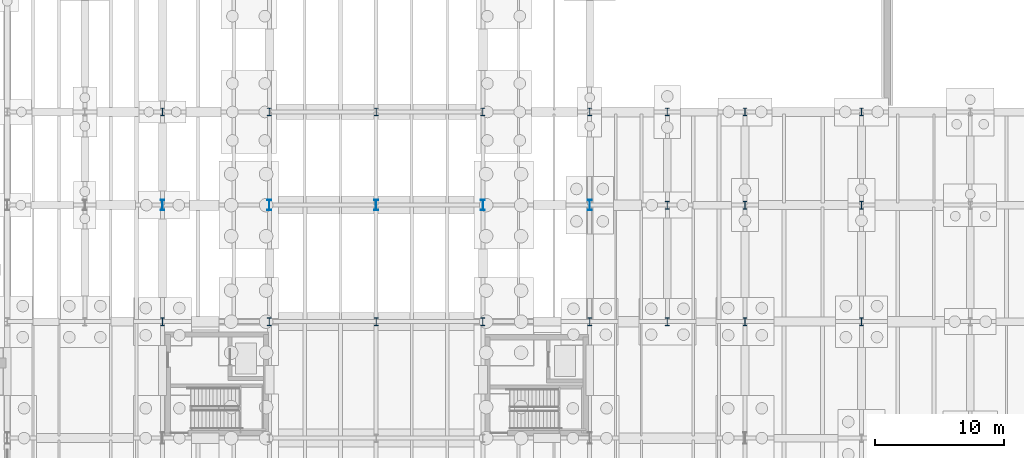
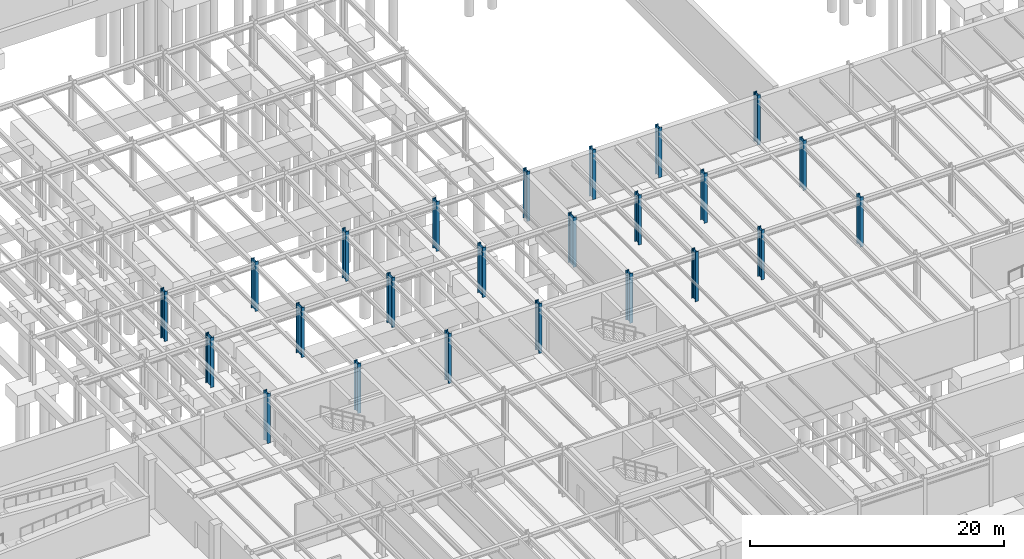
# One storey, part 19 of 59: 24 columns.
"""IFC4 building model written with IfcOpenShell, lengths in metres."""

from ifc_helpers import new_model, si_unit, direction, frame, origin, origin_2d, place, context, subcontext, project, spatial, i_section, extrude, material, material_profile, profile_set, type_object, element, save


model = new_model("IFC4")

# Units and contexts
model_context = context("Model", 3, precision=1e-05, world=origin(), true_north=direction((0.0, 1.0)))
body_context = subcontext(model_context, "Body", "Model", "MODEL_VIEW")
ifc_project = project(units=[si_unit("LENGTHUNIT", "METRE"), si_unit("AREAUNIT", "SQUARE_METRE"), si_unit("VOLUMEUNIT", "CUBIC_METRE"), si_unit("PLANEANGLEUNIT", "RADIAN"), si_unit("MASSUNIT", "GRAM", prefix="KILO")], contexts=[model_context])

# Site, building, storey
site_placement = place(None, origin())
site = spatial("IfcSite", under=ifc_project, at=site_placement, CompositionType="ELEMENT")
building_placement = place(site_placement, origin())
building = spatial("IfcBuilding", under=site, at=building_placement, Name="Montealbar Specialist Clinic", CompositionType="ELEMENT")
storey_placement = place(building_placement, frame((0.0, 0.0, -4.800048828125)))
storey = spatial("IfcBuildingStorey", under=building, at=storey_placement, Name="B01", CompositionType="ELEMENT", Elevation=-4.800048828125)

# Columns
ifc_material = material(Name="Steel S355", Category="steel")
ifc_material_profile_1 = material_profile(ifc_material, i_section(OverallWidth=0.302978515625, OverallDepth=0.81396484375, WebThickness=0.02099609375, FlangeThickness=0.0400390625, FilletRadius=0.030029296875, at=origin_2d()), Name="HEM 800", Category="steel")
ifc_profile_set_1 = profile_set([ifc_material_profile_1], Name="Steel S355")
column_type_1 = type_object("IfcColumnType", Name="COL-S-B01-HVY-EXT", PredefinedType="COLUMN", material=ifc_profile_set_1)
for number, where, z_axis, x_axis, name in (
    (1, (66.0, 45.0, 0.0), (0.0, 0.0, 1.0), (1.0, 0.0, 0.0), "Column 9/F B01"),
    (2, (74.25, 45.0, 0.0), (0.0, 0.0, 1.0), (1.0, 0.0, 0.0), "Column 10/F B01"),
    (3, (82.5, 45.0, 0.0), (0.0, 0.0, 1.0), (1.0, 0.0, 0.0), "Column 11/F B01"),
    (4, (90.75, 45.0, 0.0), (0.0, 0.0, 1.0), (1.0, 0.0, 0.0), "Column 12/F B01"),
    (5, (99.0, 45.0, 0.0), (0.0, 0.0, 1.0), (1.0, 0.0, 0.0), "Column 13/F B01"),
):
    element("IfcColumn", number, at=place(storey_placement, frame(where, z_axis=z_axis, x_axis=x_axis)), inside=storey, type_object=column_type_1, Name=name, PredefinedType="COLUMN", context=body_context, shape_type="SweptSolid", body=[
        extrude(i_section(OverallWidth=0.302978515625, OverallDepth=0.81396484375, WebThickness=0.02099609375, FlangeThickness=0.0400390625, FilletRadius=0.030029296875, at=origin_2d()), origin(), (0.0, 0.0, 1.0), 4.800048828125),
    ])
ifc_material_profile_2 = material_profile(ifc_material, i_section(OverallWidth=0.300048828125, OverallDepth=0.60009765625, WebThickness=0.015380859375, FlangeThickness=0.030029296875, FilletRadius=0.027099609375, at=origin_2d()), Name="HEB 600", Category="steel")
ifc_profile_set_2 = profile_set([ifc_material_profile_2], Name="Steel S355")
column_type_2 = type_object("IfcColumnType", Name="COL-S-B01-STD", PredefinedType="COLUMN", material=ifc_profile_set_2)
for number, where, z_axis, x_axis, name in (
    (6, (105.0, 36.0, 0.0), (0.0, 0.0, 1.0), (1.0, 0.0, 0.0), "Column 14/E B01"),
    (7, (105.0, 45.0, 0.0), (0.0, 0.0, 1.0), (1.0, 0.0, 0.0), "Column 14/F B01"),
    (8, (111.0, 36.0, 0.0), (0.0, 0.0, 1.0), (1.0, 0.0, 0.0), "Column 15/E B01"),
    (9, (111.0, 45.0, 0.0), (0.0, 0.0, 1.0), (1.0, 0.0, 0.0), "Column 15/F B01"),
    (10, (120.0, 36.0, 0.0), (0.0, 0.0, 1.0), (1.0, 0.0, 0.0), "Column 16/E B01"),
    (11, (120.0, 45.0, 0.0), (0.0, 0.0, 1.0), (1.0, 0.0, 0.0), "Column 16/F B01"),
):
    element("IfcColumn", number, at=place(storey_placement, frame(where, z_axis=z_axis, x_axis=x_axis)), inside=storey, type_object=column_type_2, Name=name, PredefinedType="COLUMN", context=body_context, shape_type="SweptSolid", body=[
        extrude(i_section(OverallWidth=0.300048828125, OverallDepth=0.60009765625, WebThickness=0.015380859375, FlangeThickness=0.030029296875, FilletRadius=0.027099609375, at=origin_2d()), origin(), (0.0, 0.0, 1.0), 4.800048828125),
    ])
ifc_material_profile_3 = material_profile(ifc_material, i_section(OverallWidth=0.300048828125, OverallDepth=0.60009765625, WebThickness=0.015380859375, FlangeThickness=0.030029296875, FilletRadius=0.027099609375, at=origin_2d()), Name="HEB 600", Category="steel")
ifc_profile_set_3 = profile_set([ifc_material_profile_3], Name="Steel S355")
column_type_3 = type_object("IfcColumnType", Name="COL-S-B01-STD-EXT", PredefinedType="COLUMN", material=ifc_profile_set_3)
for number, where, z_axis, x_axis, name in (
    (12, (66.0, 36.0, 0.0), (0.0, 0.0, 1.0), (1.0, 0.0, 0.0), "Column 9/E B01"),
    (13, (66.0, 52.199951171875, 0.0), (0.0, 0.0, 1.0), (1.0, 0.0, 0.0), "Column 9/G B01"),
    (14, (74.25, 36.0, 0.0), (0.0, 0.0, 1.0), (1.0, 0.0, 0.0), "Column 10/E B01"),
    (15, (74.25, 52.199951171875, 0.0), (0.0, 0.0, 1.0), (1.0, 0.0, 0.0), "Column 10/G B01"),
    (16, (82.5, 36.0, 0.0), (0.0, 0.0, 1.0), (1.0, 0.0, 0.0), "Column 11/E B01"),
    (17, (82.5, 52.199951171875, 0.0), (0.0, 0.0, 1.0), (1.0, 0.0, 0.0), "Column 11/G B01"),
    (18, (90.75, 36.0, 0.0), (0.0, 0.0, 1.0), (1.0, 0.0, 0.0), "Column 12/E B01"),
    (19, (90.75, 52.199951171875, 0.0), (0.0, 0.0, 1.0), (1.0, 0.0, 0.0), "Column 12/G B01"),
    (20, (99.0, 36.0, 0.0), (0.0, 0.0, 1.0), (1.0, 0.0, 0.0), "Column 13/E B01"),
    (21, (99.0, 52.199951171875, 0.0), (0.0, 0.0, 1.0), (1.0, 0.0, 0.0), "Column 13/G B01"),
    (22, (105.0, 52.199951171875, 0.0), (0.0, 0.0, 1.0), (1.0, 0.0, 0.0), "Column 14/G B01"),
    (23, (111.0, 52.199951171875, 0.0), (0.0, 0.0, 1.0), (1.0, 0.0, 0.0), "Column 15/G B01"),
    (24, (120.0, 52.199951171875, 0.0), (0.0, 0.0, 1.0), (1.0, 0.0, 0.0), "Column 16/G B01"),
):
    element("IfcColumn", number, at=place(storey_placement, frame(where, z_axis=z_axis, x_axis=x_axis)), inside=storey, type_object=column_type_3, Name=name, PredefinedType="COLUMN", context=body_context, shape_type="SweptSolid", body=[
        extrude(i_section(OverallWidth=0.300048828125, OverallDepth=0.60009765625, WebThickness=0.015380859375, FlangeThickness=0.030029296875, FilletRadius=0.027099609375, at=origin_2d()), origin(), (0.0, 0.0, 1.0), 4.800048828125),
    ])

save(model, "model.ifc")
